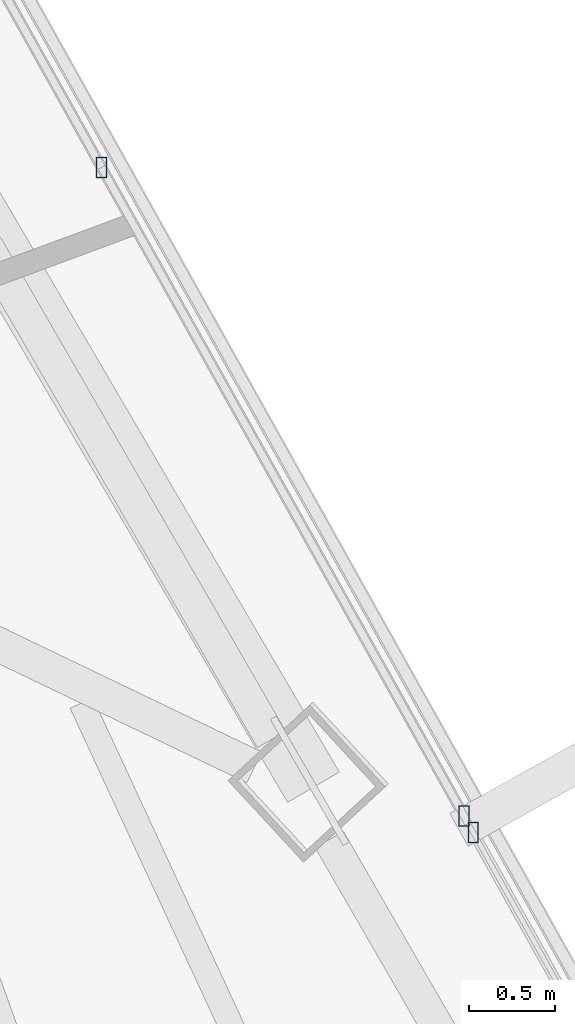
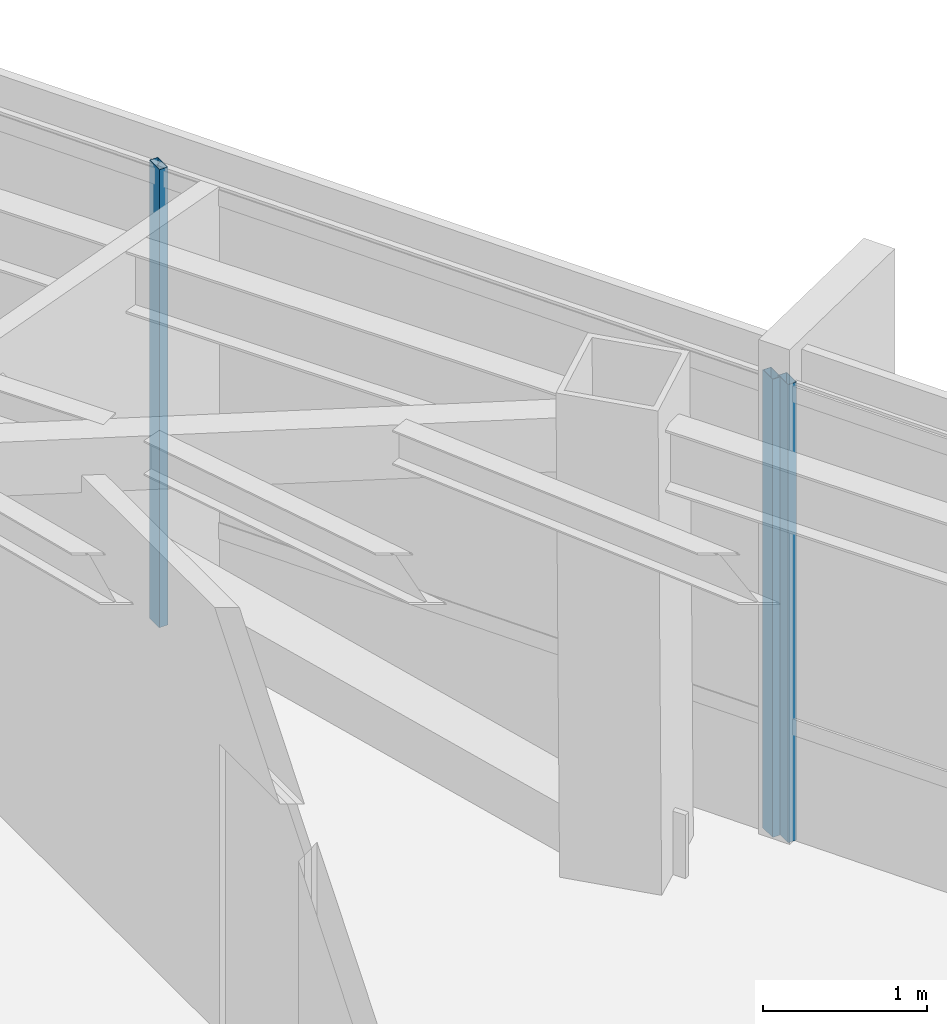
# One storey, part 28 of 44: 3 members, 2 elements without a shape of their own.
"""IFC4 building model written with IfcOpenShell, lengths in metres."""

from ifc_helpers import new_model, si_unit, direction, frame, origin, origin_2d, place, context, subcontext, project, spatial, hollow_rectangle, extrude, source, transform, mapped, material, material_profile, profile_set, type_object, type_shapes, element, aggregate, save


model = new_model("IFC4")

# Units and contexts
model_context = context("Model", 3, precision=1e-05, world=origin(), true_north=direction((0.0, 1.0)))
body_context = subcontext(model_context, "Body", "Model", "MODEL_VIEW")
ifc_project = project(units=[si_unit("LENGTHUNIT", "METRE"), si_unit("AREAUNIT", "SQUARE_METRE"), si_unit("VOLUMEUNIT", "CUBIC_METRE"), si_unit("PLANEANGLEUNIT", "RADIAN"), si_unit("MASSUNIT", "GRAM", prefix="KILO")], contexts=[model_context])

# Site, building, storey
site_placement = place(None, origin())
site = spatial("IfcSite", under=ifc_project, at=site_placement, CompositionType="ELEMENT")
building_placement = place(site_placement, origin())
building = spatial("IfcBuilding", under=site, at=building_placement, Name="Caelisora Broadcast Tower", CompositionType="ELEMENT")
storey_placement = place(building_placement, frame((0.0, 0.0, 259.050048828125)))
storey = spatial("IfcBuildingStorey", under=building, at=storey_placement, Name="L68", CompositionType="ELEMENT", Elevation=259.050048828125)

# Curtain wall, members
ifc_material_1 = material(Name="Unitised Aluminium Insulated Shadow-Box Spandrel Curtain Wall", Category="aluminium")
curtain_wall_type_1 = type_object("IfcCurtainWallType", Name="CW-SP3", PredefinedType="NOTDEFINED", material=ifc_material_1)
curtain_wall_1_placement = place(storey_placement, origin())
curtain_wall_1 = element("IfcCurtainWall", 1, at=curtain_wall_1_placement, inside=storey, type_object=curtain_wall_type_1, Name="L68 curtain wall CW-SP3", PredefinedType="NOTDEFINED")
ifc_material_2 = material(Name="Aluminium 6063-T6 Anodised Terracotta Bronze", Category="aluminium")
ifc_material_profile = material_profile(ifc_material_2, hollow_rectangle(XDim=0.06005859375, YDim=0.1201171875, WallThickness=0.0029296875, at=origin_2d()), Name="Aluminium 6063-T6 Anodised Terracotta Bronze")
ifc_profile_set = profile_set([ifc_material_profile], Name="Aluminium 6063-T6 Anodised Terracotta Bronze")
member_type = type_object("IfcMemberType", Name="CWM-04", PredefinedType="MULLION", material=ifc_profile_set)
shared_shape = source(origin(), body_context, "Body", "SweptSolid", [
    extrude(hollow_rectangle(XDim=0.06005859375, YDim=0.1201171875, WallThickness=0.0029296875, at=origin_2d()), origin(), (0.0, 0.0, 1.0), 3.39990234375),
])
type_shapes(member_type, [shared_shape])
member_1_placement = place(storey_placement, frame((52.39990234375, 29.7666015625, 0.0), z_axis=(0.0, 0.0, 1.0), x_axis=(1.0, 0.0, 0.0)))
member_1 = element("IfcMember", 2, at=member_1_placement, type_object=member_type, Name="L68-CW-B02 mullion #2", PredefinedType="MULLION", context=body_context, shape_type="MappedRepresentation", body=[
    mapped(shared_shape, transform((0.0, 0.0, 0.0), scale=1.0)),
])
member_2_placement = place(storey_placement, frame((54.517578125, 25.977783203125, 0.0), z_axis=(0.0, 0.0, 1.0), x_axis=(1.0, 0.0, 0.0)))
member_2 = element("IfcMember", 3, at=member_2_placement, type_object=member_type, Name="L68-CW-B02 mullion #3", PredefinedType="MULLION", context=body_context, shape_type="MappedRepresentation", body=[
    mapped(shared_shape, transform((0.0, 0.0, 0.0), scale=1.0)),
])
aggregate(curtain_wall_1, [member_1, member_2])

# Curtain wall, member
ifc_material_3 = material(Name="Unitised Aluminium and Low-E Glass Curtain Wall", Category="glass")
curtain_wall_type_2 = type_object("IfcCurtainWallType", Name="CW-Z5", PredefinedType="NOTDEFINED", material=ifc_material_3)
curtain_wall_2_placement = place(storey_placement, origin())
curtain_wall_2 = element("IfcCurtainWall", 4, at=curtain_wall_2_placement, inside=storey, type_object=curtain_wall_type_2, Name="L68 curtain wall CW-Z5", PredefinedType="NOTDEFINED")
member_3_placement = place(storey_placement, frame((54.5712890625, 25.881591796875, 0.0), z_axis=(0.0, 0.0, 1.0), x_axis=(1.0, 0.0, 0.0)))
member_3 = element("IfcMember", 5, at=member_3_placement, type_object=member_type, Name="L68-CW-B03 mullion #0", PredefinedType="MULLION", context=body_context, shape_type="MappedRepresentation", body=[
    mapped(shared_shape, transform((0.0, 0.0, 0.0), scale=1.0)),
])
aggregate(curtain_wall_2, [member_3])

save(model, "model.ifc")
